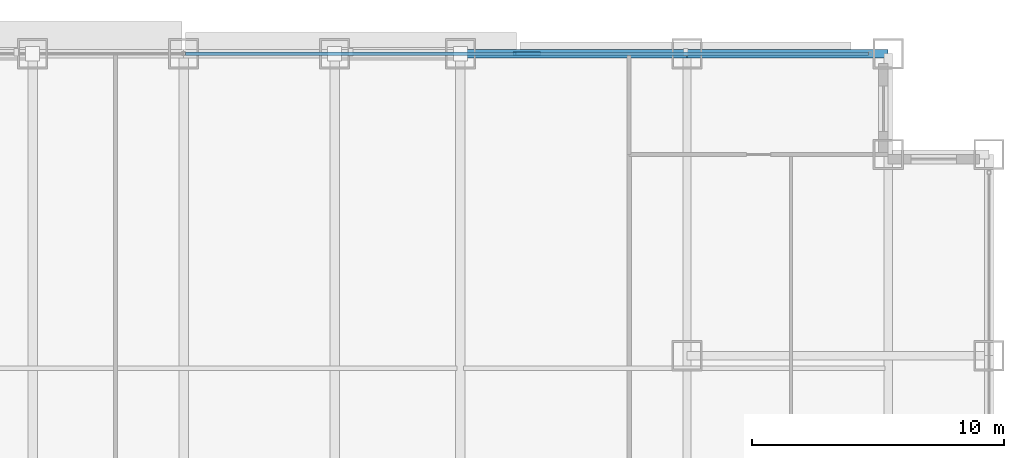
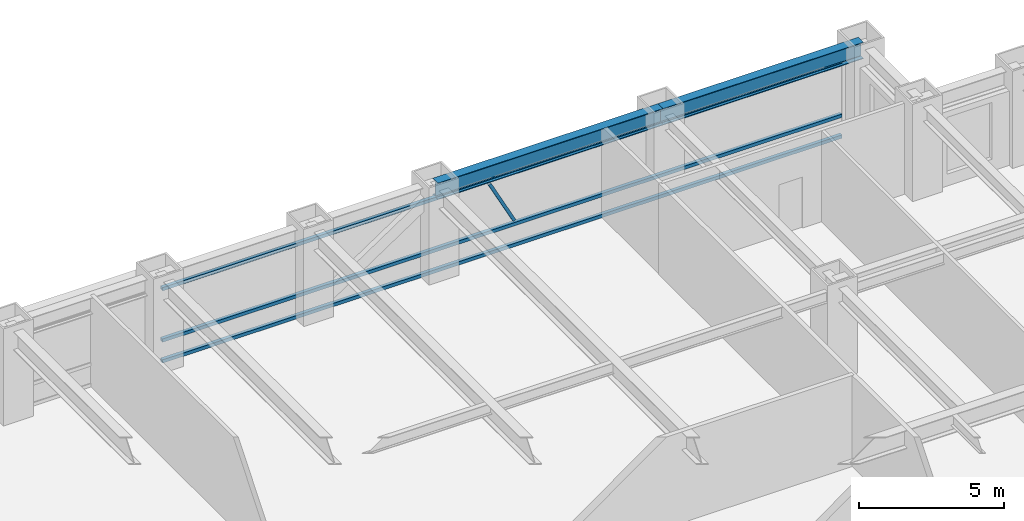
# One storey, part 20 of 32: 4 members, 2 beams, 1 element without a shape of its own.
"""IFC4 building model written with IfcOpenShell, lengths in metres."""

from ifc_helpers import new_model, si_unit, direction, frame, origin, origin_2d, place, context, subcontext, project, spatial, hollow_rectangle, i_section, extrude, source, transform, mapped, material, material_profile, profile_set, type_object, element, aggregate, save


model = new_model("IFC4")

# Units and contexts
model_context = context("Model", 3, precision=1e-05, world=origin(), true_north=direction((0.0, 1.0)))
body_context = subcontext(model_context, "Body", "Model", "MODEL_VIEW")
ifc_project = project(units=[si_unit("LENGTHUNIT", "METRE"), si_unit("AREAUNIT", "SQUARE_METRE"), si_unit("VOLUMEUNIT", "CUBIC_METRE"), si_unit("PLANEANGLEUNIT", "RADIAN"), si_unit("MASSUNIT", "GRAM", prefix="KILO")], contexts=[model_context])

# Site, building, storey
site_placement = place(None, origin())
site = spatial("IfcSite", under=ifc_project, at=site_placement, CompositionType="ELEMENT")
building_placement = place(site_placement, origin())
building = spatial("IfcBuilding", under=site, at=building_placement, Name="Khorayat Bourse Tower", CompositionType="ELEMENT")
storey_placement = place(building_placement, frame((0.0, 0.0, 136.5)))
storey = spatial("IfcBuildingStorey", under=building, at=storey_placement, Name="L31", CompositionType="ELEMENT", Elevation=136.5)

# Beams
ifc_material_1 = material(Name="Steel ASTM A992 Grade 50", Category="steel")
ifc_material_profile_1 = material_profile(ifc_material_1, i_section(OverallWidth=0.35498046875, OverallDepth=0.695068359375, WebThickness=0.015380859375, FlangeThickness=0.02490234375, FilletRadius=0.01806640625, at=origin_2d()), Name="W690X217")
ifc_profile_set_1 = profile_set([ifc_material_profile_1], Name="Steel ASTM A992 Grade 50")
beam_type = type_object("IfcBeamType", Name="BM-SPAN-690", PredefinedType="SPANDREL", material=ifc_profile_set_1)
shared_shape_1 = source(origin(), body_context, "Body", "SweptSolid", [
    extrude(i_section(OverallWidth=0.35498046875, OverallDepth=0.695068359375, WebThickness=0.015380859375, FlangeThickness=0.02490234375, FilletRadius=0.01806640625, at=origin_2d()), origin(), (0.0, 0.0, 1.0), 9.0),
])
beam_1_placement = place(storey_placement, frame((11.0, 32.0, 3.492431640625), z_axis=(1.0, 0.0, 0.0), x_axis=(0.0, 1.0, 0.0)))
element("IfcBeam", 1, at=beam_1_placement, inside=storey, type_object=beam_type, Name="L31 BM-SPAN-690 BM-L31-SPN-045", PredefinedType="SPANDREL", context=body_context, shape_type="MappedRepresentation", body=[
    mapped(shared_shape_1, transform((0.0, 0.0, 0.0), scale=1.0)),
])
shared_shape_2 = source(origin(), body_context, "Body", "SweptSolid", [
    extrude(i_section(OverallWidth=0.35498046875, OverallDepth=0.695068359375, WebThickness=0.015380859375, FlangeThickness=0.02490234375, FilletRadius=0.01806640625, at=origin_2d()), origin(), (0.0, 0.0, 1.0), 8.0),
])
beam_2_placement = place(storey_placement, frame((20.0, 32.0, 3.492431640625), z_axis=(1.0, 0.0, 0.0), x_axis=(0.0, 1.0, 0.0)))
element("IfcBeam", 2, at=beam_2_placement, inside=storey, type_object=beam_type, Name="L31 BM-SPAN-690 BM-L31-SPN-044", PredefinedType="SPANDREL", context=body_context, shape_type="MappedRepresentation", body=[
    mapped(shared_shape_2, transform((0.0, 0.0, 0.0), scale=1.0)),
])

# Curtain wall, members
ifc_material_2 = material(Name="Aluminium EN AW-6063 T6", Category="aluminium")
curtain_wall_type = type_object("IfcCurtainWallType", Name="CW-SYS-02", PredefinedType="NOTDEFINED", material=ifc_material_2)
curtain_wall_placement = place(storey_placement, origin())
curtain_wall = element("IfcCurtainWall", 3, at=curtain_wall_placement, inside=storey, type_object=curtain_wall_type, Name="L31 Curtain Wall CW-L31-N1", PredefinedType="NOTDEFINED")
ifc_material_profile_2 = material_profile(ifc_material_2, hollow_rectangle(XDim=0.139892578125, YDim=0.139892578125, WallThickness=0.006103515625, at=origin_2d()), Name="ALU 140x140x6")
ifc_profile_set_2 = profile_set([ifc_material_profile_2], Name="Aluminium EN AW-6063 T6")
member_type_1 = type_object("IfcMemberType", Name="CWT-HORZ-140", PredefinedType="USERDEFINED", material=ifc_profile_set_2)
shared_shape_3 = source(origin(), body_context, "Body", "SweptSolid", [
    extrude(hollow_rectangle(XDim=0.139892578125, YDim=0.139892578125, WallThickness=0.006103515625, at=origin_2d()), origin(), (0.0, 0.0, 1.0), 27.139892578125),
])
member_1_placement = place(storey_placement, frame((0.070068359375, 32.0, 0.070068359375), z_axis=(1.0, 0.0, 0.0), x_axis=(0.0, 1.0, 0.0)))
member_1 = element("IfcMember", 4, at=member_1_placement, type_object=member_type_1, Name="CW-L31-N1 Horizontal Transom 2-1", ObjectType="TRANSOM", PredefinedType="USERDEFINED", context=body_context, shape_type="MappedRepresentation", body=[
    mapped(shared_shape_3, transform((0.0, 0.0, 0.0), scale=1.0)),
])
member_2_placement = place(storey_placement, frame((0.070068359375, 32.0, 0.949951171875), z_axis=(1.0, 0.0, 0.0), x_axis=(0.0, 1.0, 0.0)))
member_2 = element("IfcMember", 5, at=member_2_placement, type_object=member_type_1, Name="CW-L31-N1 Horizontal Transom 2-2", ObjectType="TRANSOM", PredefinedType="USERDEFINED", context=body_context, shape_type="MappedRepresentation", body=[
    mapped(shared_shape_3, transform((0.0, 0.0, 0.0), scale=1.0)),
])
member_3_placement = place(storey_placement, frame((0.070068359375, 32.0, 3.1201171875), z_axis=(1.0, 0.0, 0.0), x_axis=(0.0, 1.0, 0.0)))
member_3 = element("IfcMember", 6, at=member_3_placement, type_object=member_type_1, Name="CW-L31-N1 Horizontal Transom 2-3", ObjectType="TRANSOM", PredefinedType="USERDEFINED", context=body_context, shape_type="MappedRepresentation", body=[
    mapped(shared_shape_3, transform((0.0, 0.0, 0.0), scale=1.0)),
])
ifc_material_profile_3 = material_profile(ifc_material_2, hollow_rectangle(XDim=0.1201171875, YDim=0.1201171875, WallThickness=0.0048828125, at=origin_2d()), Name="ALU 120x120x5")
ifc_profile_set_3 = profile_set([ifc_material_profile_3], Name="Aluminium EN AW-6063 T6")
member_type_2 = type_object("IfcMemberType", Name="CWM-DIAG-120", PredefinedType="MULLION", material=ifc_profile_set_3)
shared_shape_4 = source(origin(), body_context, "Body", "SweptSolid", [
    extrude(hollow_rectangle(XDim=0.1201171875, YDim=0.1201171875, WallThickness=0.0048828125, at=origin_2d()), origin(), (0.0, 0.0, 1.0), 2.113037109375),
])
member_4_placement = place(storey_placement, frame((14.132080078125, 32.0, 1.10009765625), z_axis=(-0.465741670874, 0.0, 0.884920728659), x_axis=(0.0, -1.0, 0.0)))
member_4 = element("IfcMember", 7, at=member_4_placement, type_object=member_type_2, Name="CW-L31-N1 Faceted Diagonal Mullion 2", PredefinedType="MULLION", context=body_context, shape_type="MappedRepresentation", body=[
    mapped(shared_shape_4, transform((0.0, 0.0, 0.0), scale=1.0)),
])
aggregate(curtain_wall, [member_1, member_2, member_3, member_4])

save(model, "model.ifc")
